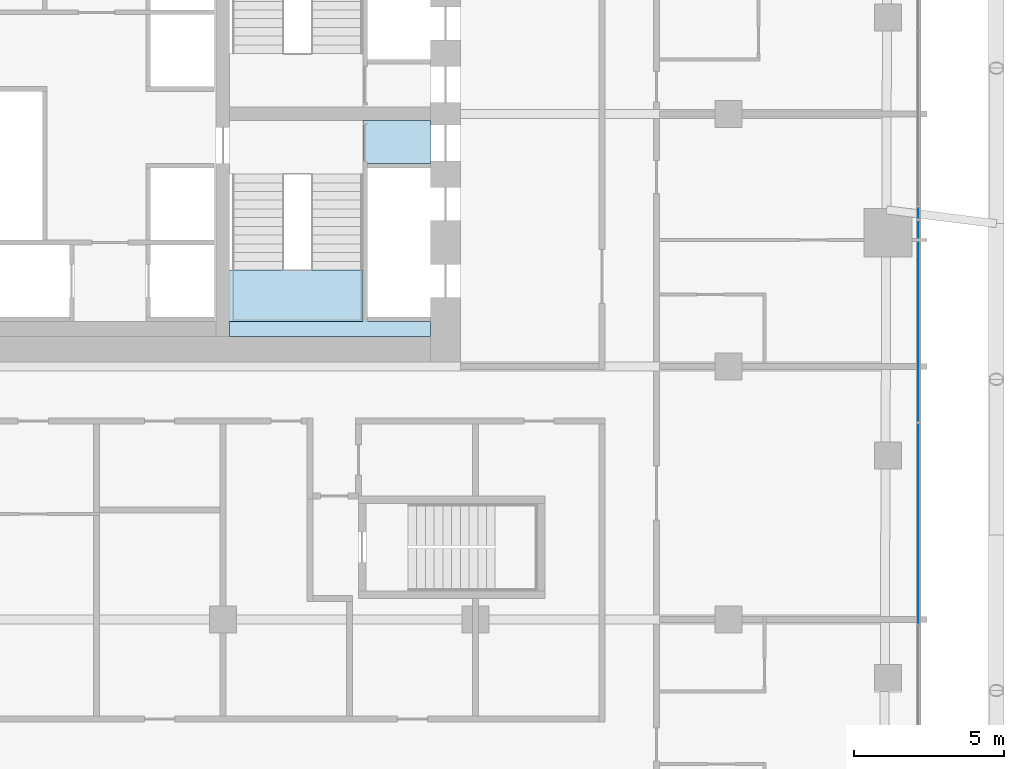
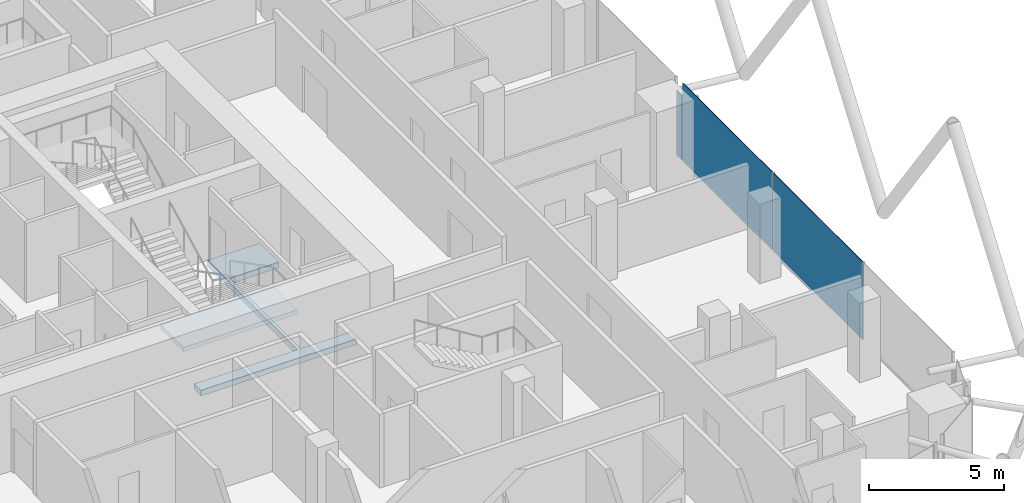
# One storey, part 23 of 36: 3 plates, 2 slabs, 3 elements without a shape of their own.
"""IFC4 building model written with IfcOpenShell, lengths in metres."""

from ifc_helpers import new_model, si_unit, direction, frame, origin, origin_2d, place, context, subcontext, project, spatial, polyline, rectangle, outline, extrude, material, layer, layer_set, type_object, element, aggregate, save


model = new_model("IFC4")

# Units and contexts
model_context = context("Model", 3, precision=1e-05, world=origin(), true_north=direction((0.0, 1.0)))
body_context = subcontext(model_context, "Body", "Model", "MODEL_VIEW")
ifc_project = project(units=[si_unit("LENGTHUNIT", "METRE"), si_unit("AREAUNIT", "SQUARE_METRE"), si_unit("VOLUMEUNIT", "CUBIC_METRE"), si_unit("PLANEANGLEUNIT", "RADIAN"), si_unit("MASSUNIT", "GRAM", prefix="KILO")], contexts=[model_context])

# Site, building, storey
site_placement = place(None, origin())
site = spatial("IfcSite", under=ifc_project, at=site_placement, CompositionType="ELEMENT")
building_placement = place(site_placement, origin())
building = spatial("IfcBuilding", under=site, at=building_placement, Name="Marenta Gate Hotel Tower", CompositionType="ELEMENT")
storey_placement = place(building_placement, frame((0.0, 0.0, 158.89990234375)))
storey = spatial("IfcBuildingStorey", under=building, at=storey_placement, Name="L37", CompositionType="ELEMENT", Elevation=158.89990234375)

# Slab
ifc_material_1 = material(Name="Concrete C40", Category="concrete")
ifc_layer_1 = layer(ifc_material_1, 0.260009765625)
ifc_layer_set_1 = layer_set([ifc_layer_1], Name="Concrete C40")
slab_type_1 = type_object("IfcSlabType", Name="Core floor slab 260", PredefinedType="FLOOR", material=ifc_layer_set_1)
slab_1_placement = place(storey_placement, frame((0.0, 0.0, -0.260009765625)))
element("IfcSlab", 1, at=slab_1_placement, inside=storey, type_object=slab_type_1, Name="L37-CF-2", PredefinedType="FLOOR", context=body_context, shape_type="SweptSolid", body=[
    extrude(outline(polyline([(8.85009765625, 1.5), (8.85009765625, 6.39990234375), (8.85009765625, 8.10009765625), (8.85009765625, 8.175048828125), (11.10009765625, 8.175048828125), (11.10009765625, 6.75), (9.0, 6.75), (9.0, 6.60009765625), (9.0, 4.199951171875), (9.0, 4.050048828125), (9.0, 1.64990234375), (9.0, 1.5), (11.10009765625, 1.5), (11.10009765625, 1.0), (4.425048828125, 1.0), (4.425048828125, 1.5), (8.85009765625, 1.5)])), origin(), (0.0, 0.0, 1.0), 0.260009765625),
])

# Stair, slab
ifc_material_2 = material(Name="Concrete C40", Category="concrete")
stair_type = type_object("IfcStairType", Name="Core exit stair 1700 wide", PredefinedType="HALF_TURN_STAIR", material=ifc_material_2)
stair_placement = place(storey_placement, origin())
stair = element("IfcStair", 2, at=stair_placement, inside=storey, type_object=stair_type, Name="Exit stair 3", PredefinedType="HALF_TURN_STAIR")
ifc_material_3 = material(Name="Concrete C40", Category="concrete")
ifc_layer_2 = layer(ifc_material_3, 0.199951171875)
ifc_layer_set_2 = layer_set([ifc_layer_2], Name="Concrete C40")
slab_type_2 = type_object("IfcSlabType", Name="Core stair landing 200", PredefinedType="LANDING", material=ifc_layer_set_2)
slab_2_placement = place(storey_placement, frame((0.0, 0.0, 1.60009765625)))
slab_2 = element("IfcSlab", 3, at=slab_2_placement, type_object=slab_type_2, Name="SL-200 ST3 landing 1", PredefinedType="LANDING", context=body_context, shape_type="SweptSolid", body=[
    extrude(outline(polyline([(3.97509765625, 1.5), (8.85009765625, 1.5), (8.85009765625, 3.2099609375), (3.97509765625, 3.2099609375), (3.97509765625, 1.5)])), origin(), (0.0, 0.0, 1.0), 0.199951171875),
])
aggregate(stair, [slab_2])

# Curtain wall, plates
ifc_material_4 = material(Name="Tinted insulated glass in bronze anodised frame", Category="glass")
ifc_layer_3 = layer(ifc_material_4, 0.1201171875)
ifc_layer_set_3 = layer_set([ifc_layer_3], Name="Tinted insulated glass in bronze anodised frame")
curtain_wall_type = type_object("IfcCurtainWallType", Name="Tower unitised curtain wall CW1", PredefinedType="NOTDEFINED", material=ifc_layer_set_3)
curtain_wall_1_placement = place(storey_placement, origin())
curtain_wall_1 = element("IfcCurtainWall", 4, at=curtain_wall_1_placement, inside=storey, type_object=curtain_wall_type, Name="CW1 run G33", PredefinedType="NOTDEFINED")
ifc_material_5 = material(Name="Tinted insulated glass", Category="glass")
ifc_layer_4 = layer(ifc_material_5, 0.028076171875)
ifc_layer_set_4 = layer_set([ifc_layer_4], Name="Tinted insulated glass")
plate_type = type_object("IfcPlateType", Name="Glass panel CW1 28 mm tinted insulated unit", PredefinedType="CURTAIN_PANEL", material=ifc_layer_set_4)
plate_1_placement = place(storey_placement, frame((27.31396484375, -5.2138671875, 0.06005859375), z_axis=(0.0, 0.0, 1.0), x_axis=(0.0, 1.0, 0.0)))
plate_1 = element("IfcPlate", 5, at=plate_1_placement, type_object=plate_type, Name="CW1 panel 2.1", PredefinedType="CURTAIN_PANEL", context=body_context, shape_type="SweptSolid", body=[
    extrude(rectangle(XDim=6.647216796875, YDim=0.028076171875, at=origin_2d()), origin(), (0.0, 0.0, 1.0), 3.5400390625),
])
plate_2_placement = place(storey_placement, frame((27.31396484375, 1.50830078125, 0.06005859375), z_axis=(0.0, 0.0, 1.0), x_axis=(0.0, 1.0, 0.0)))
plate_2 = element("IfcPlate", 6, at=plate_2_placement, type_object=plate_type, Name="CW1 panel 3.1", PredefinedType="CURTAIN_PANEL", context=body_context, shape_type="SweptSolid", body=[
    extrude(rectangle(XDim=6.67724609375, YDim=0.028076171875, at=origin_2d()), origin(), (0.0, 0.0, 1.0), 3.5400390625),
])
aggregate(curtain_wall_1, [plate_1, plate_2])

# Curtain wall, plate
curtain_wall_2_placement = place(storey_placement, origin())
curtain_wall_2 = element("IfcCurtainWall", 7, at=curtain_wall_2_placement, inside=storey, type_object=curtain_wall_type, Name="CW1 run G34", PredefinedType="NOTDEFINED")
plate_3_placement = place(storey_placement, frame((27.31396484375, 5.10546875, 0.060302734375), z_axis=(0.0, 0.0, 1.0), x_axis=(0.0, 1.0, 0.0)))
plate_3 = element("IfcPlate", 8, at=plate_3_placement, type_object=plate_type, Name="CW1 panel 1.1", PredefinedType="CURTAIN_PANEL", context=body_context, shape_type="SweptSolid", body=[
    extrude(rectangle(XDim=0.396484375, YDim=0.028076171875, at=origin_2d()), origin(), (0.0, 0.0, 1.0), 2.9404296875),
])
aggregate(curtain_wall_2, [plate_3])

save(model, "model.ifc")
